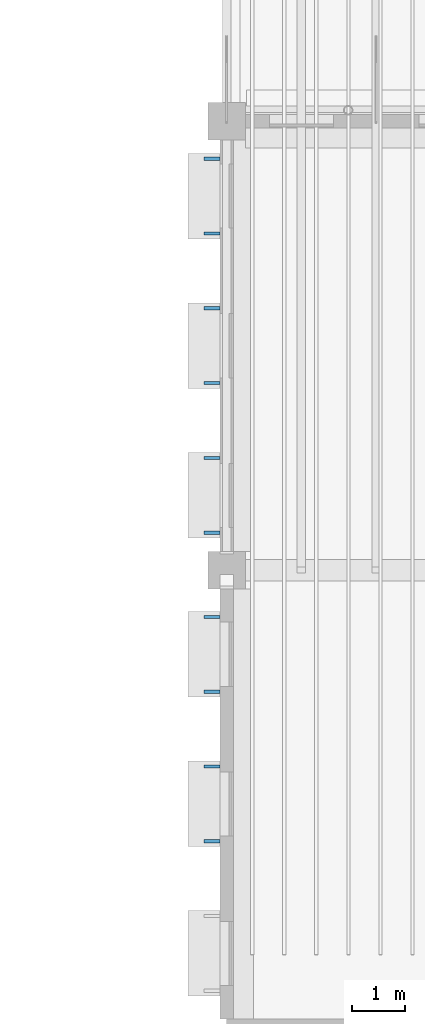
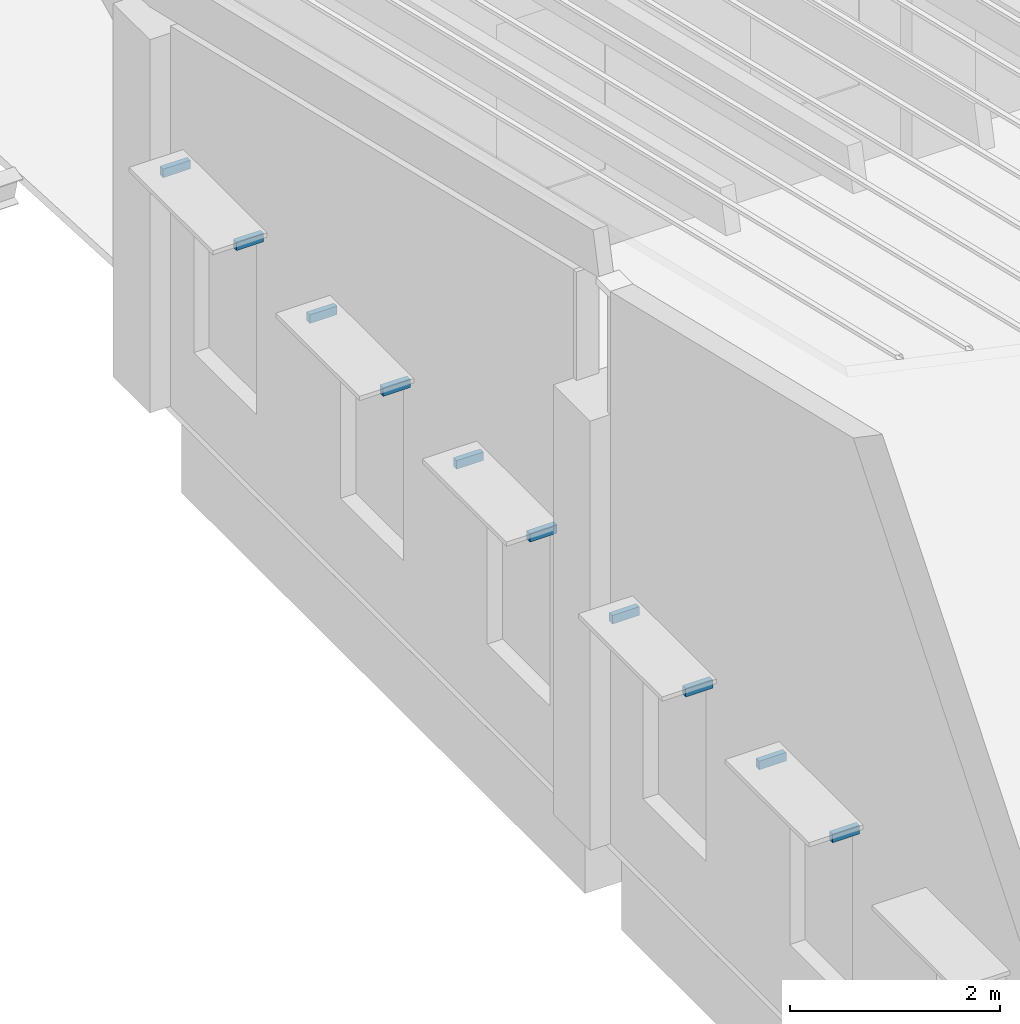
# One storey, part 40 of 82: 10 discrete accessories.
"""IFC4 building model written with IfcOpenShell, lengths in metres."""

from ifc_helpers import new_model, si_unit, direction, frame, origin, origin_2d, place, context, subcontext, project, spatial, rectangle, extrude, material, type_object, element, save


model = new_model("IFC4")

# Units and contexts
model_context = context("Model", 3, precision=1e-05, world=origin(), true_north=direction((0.0, 1.0)))
body_context = subcontext(model_context, "Body", "Model", "MODEL_VIEW")
ifc_project = project(units=[si_unit("LENGTHUNIT", "METRE"), si_unit("AREAUNIT", "SQUARE_METRE"), si_unit("VOLUMEUNIT", "CUBIC_METRE"), si_unit("PLANEANGLEUNIT", "RADIAN"), si_unit("MASSUNIT", "GRAM", prefix="KILO")], contexts=[model_context])

# Site, building, storey
site_placement = place(None, origin())
site = spatial("IfcSite", under=ifc_project, at=site_placement, CompositionType="ELEMENT")
building_placement = place(site_placement, origin())
building = spatial("IfcBuilding", under=site, at=building_placement, Name="Almond Square Museum", CompositionType="ELEMENT")
storey_placement = place(building_placement, frame((0.0, 0.0, 20.0)))
storey = spatial("IfcBuildingStorey", under=building, at=storey_placement, Name="L03", CompositionType="ELEMENT", Elevation=20.0)

# Discrete accessories
ifc_material = material(Name="Stainless steel", Category="steel")
discrete_accessory_type = type_object("IfcDiscreteAccessoryType", Name="Sun-shade blade bracket", PredefinedType="BRACKET", material=ifc_material)
for number, where, z_axis, x_axis, name in (
    (1, (39.326904296875, 101.5, 2.9970703125), (0.0, 0.0, 1.0), (1.0, 0.0, 0.0), "Bracket sun-shade blade"),
    (2, (39.326904296875, 102.89990234375, 2.9970703125), (0.0, 0.0, 1.0), (1.0, 0.0, 0.0), "Bracket sun-shade blade"),
    (3, (39.326904296875, 104.300048828125, 2.9970703125), (0.0, 0.0, 1.0), (1.0, 0.0, 0.0), "Bracket sun-shade blade"),
    (4, (39.326904296875, 105.699951171875, 2.9970703125), (0.0, 0.0, 1.0), (1.0, 0.0, 0.0), "Bracket sun-shade blade"),
    (5, (39.326904296875, 107.10009765625, 2.9970703125), (0.0, 0.0, 1.0), (1.0, 0.0, 0.0), "Bracket sun-shade blade"),
    (6, (39.326904296875, 108.5, 2.9970703125), (0.0, 0.0, 1.0), (1.0, 0.0, 0.0), "Bracket sun-shade blade"),
    (7, (39.326904296875, 95.72509765625, 2.9970703125), (0.0, 0.0, 1.0), (1.0, 0.0, 0.0), "Bracket sun-shade blade"),
    (8, (39.326904296875, 97.125, 2.9970703125), (0.0, 0.0, 1.0), (1.0, 0.0, 0.0), "Bracket sun-shade blade"),
    (9, (39.326904296875, 98.52490234375, 2.9970703125), (0.0, 0.0, 1.0), (1.0, 0.0, 0.0), "Bracket sun-shade blade"),
    (10, (39.326904296875, 99.925048828125, 2.9970703125), (0.0, 0.0, 1.0), (1.0, 0.0, 0.0), "Bracket sun-shade blade"),
):
    element("IfcDiscreteAccessory", number, at=place(storey_placement, frame(where, z_axis=z_axis, x_axis=x_axis)), inside=storey, type_object=discrete_accessory_type, Name=name, PredefinedType="BRACKET", context=body_context, shape_type="SweptSolid", body=[
        extrude(rectangle(XDim=0.300048828125, YDim=0.06005859375, at=origin_2d()), origin(), (0.0, 0.0, 1.0), 0.10009765625),
    ])

save(model, "model.ifc")
